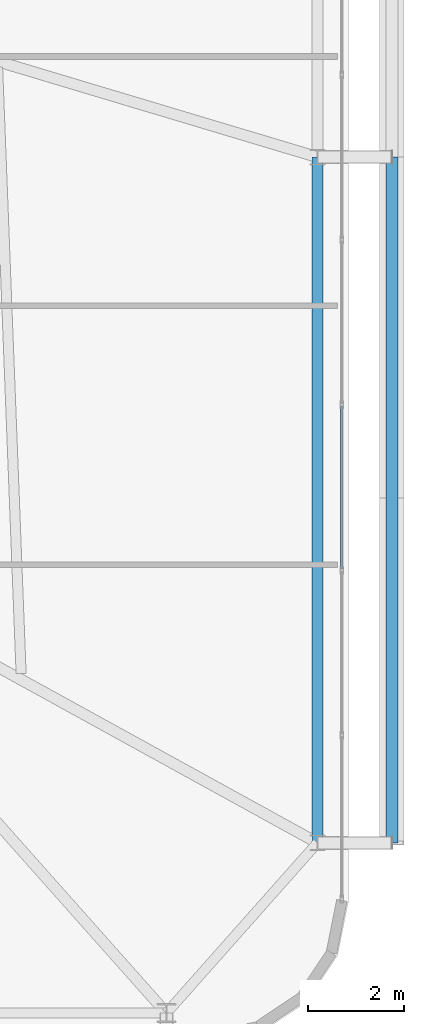
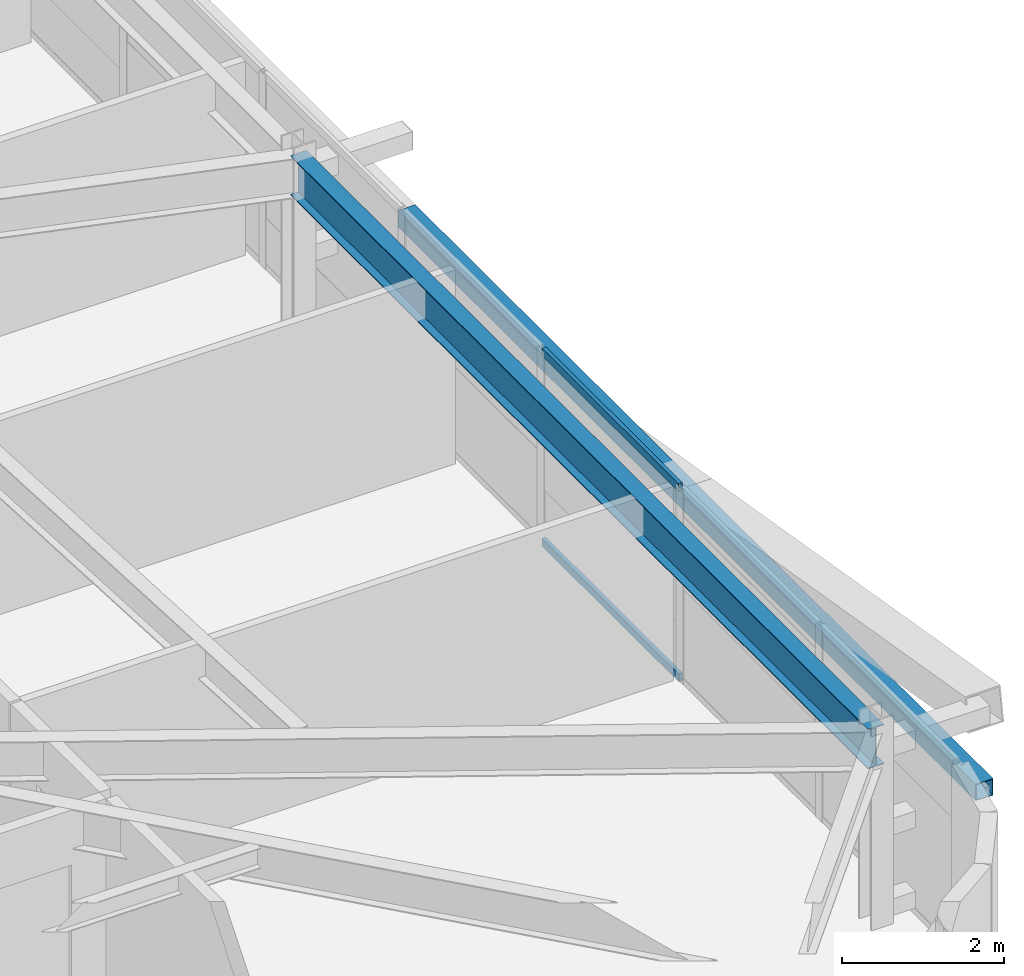
# One storey, part 27 of 58: 3 members, 1 beam, 1 element without a shape of its own.
"""IFC4 building model written with IfcOpenShell, lengths in metres."""

from ifc_helpers import new_model, si_unit, direction, frame, origin, origin_2d, place, context, subcontext, project, spatial, hollow_rectangle, i_section, extrude, source, transform, mapped, material, layer, layer_set, material_profile, profile_set, type_object, element, aggregate, save


model = new_model("IFC4")

# Units and contexts
model_context = context("Model", 3, precision=1e-05, world=origin(), true_north=direction((0.0, 1.0)))
body_context = subcontext(model_context, "Body", "Model", "MODEL_VIEW")
ifc_project = project(units=[si_unit("LENGTHUNIT", "METRE"), si_unit("AREAUNIT", "SQUARE_METRE"), si_unit("VOLUMEUNIT", "CUBIC_METRE"), si_unit("PLANEANGLEUNIT", "RADIAN"), si_unit("MASSUNIT", "GRAM", prefix="KILO")], contexts=[model_context])

# Site, building, storey
site_placement = place(None, origin())
site = spatial("IfcSite", under=ifc_project, at=site_placement, CompositionType="ELEMENT")
building_placement = place(site_placement, origin())
building = spatial("IfcBuilding", under=site, at=building_placement, Name="Taldren Reach Tower", CompositionType="ELEMENT")
storey_placement = place(building_placement, frame((0.0, 0.0, 51.449951171875)))
storey = spatial("IfcBuildingStorey", under=building, at=storey_placement, Name="L15", CompositionType="ELEMENT", Elevation=51.449951171875)

# Beam
ifc_material_1 = material(Name="Steel Gr 350 (350PLUS)", Category="steel")
ifc_material_profile_1 = material_profile(ifc_material_1, i_section(OverallWidth=0.22802734375, OverallDepth=0.60205078125, WebThickness=0.010498046875, FlangeThickness=0.014892578125, at=origin_2d()), Name="610UB101")
ifc_profile_set_1 = profile_set([ifc_material_profile_1], Name="Steel Gr 350 (350PLUS)")
beam_type = type_object("IfcBeamType", Name="BM-UB610B", PredefinedType="BEAM", material=ifc_profile_set_1)
shared_shape_1 = source(origin(), body_context, "Body", "SweptSolid", [
    extrude(i_section(OverallWidth=0.22802734375, OverallDepth=0.60205078125, WebThickness=0.010498046875, FlangeThickness=0.014892578125, at=origin_2d()), origin(), (0.0, 0.0, 1.0), 14.300048828125),
])
beam_placement = place(storey_placement, frame((64.35009765625, 5.699951171875, 2.629150390625), z_axis=(0.0, 1.0, 0.0), x_axis=(-1.0, 0.0, 0.0)))
element("IfcBeam", 1, at=beam_placement, inside=storey, type_object=beam_type, Name="Perimeter gable girder B1 E1-E2 L15", PredefinedType="BEAM", context=body_context, shape_type="MappedRepresentation", body=[
    mapped(shared_shape_1, transform((0.0, 0.0, 0.0), scale=1.0)),
])

# Member
ifc_material_2 = material(Name="Steel Gr 350 (C350L0)", Category="steel")
ifc_material_profile_2 = material_profile(ifc_material_2, hollow_rectangle(XDim=0.25, YDim=0.25, WallThickness=0.010009765625, at=origin_2d()), Name="250x250x10.0SHS")
ifc_profile_set_2 = profile_set([ifc_material_profile_2], Name="Steel Gr 350 (C350L0)")
member_type_1 = type_object("IfcMemberType", Name="MB-POST250", PredefinedType="POST", material=ifc_profile_set_2)
shared_shape_2 = source(origin(), body_context, "Body", "SweptSolid", [
    extrude(hollow_rectangle(XDim=0.25, YDim=0.25, WallThickness=0.010009765625, at=origin_2d()), origin(), (0.0, 0.0, 1.0), 14.300048828125),
])
member_1_placement = place(storey_placement, frame((65.89990234375, 5.699951171875, 1.43505859375), z_axis=(0.0, 1.0, 0.0), x_axis=(-1.0, 0.0, 0.0)))
element("IfcMember", 2, at=member_1_placement, inside=storey, type_object=member_type_1, Name="Exoskeleton mid-height ring chord B1-E1 L15", PredefinedType="POST", context=body_context, shape_type="MappedRepresentation", body=[
    mapped(shared_shape_2, transform((0.0, 0.0, 0.0), scale=1.0)),
])

# Curtain wall, members
ifc_material_3 = material(Name="Aluminium and Low-E Glass Unitised System", Category="aluminium")
ifc_layer = layer(ifc_material_3, 0.159912109375)
ifc_layer_set = layer_set([ifc_layer], Name="Aluminium and Low-E Glass Unitised System")
curtain_wall_type = type_object("IfcCurtainWallType", Name="CW-SYS-2", PredefinedType="NOTDEFINED", material=ifc_layer_set)
curtain_wall_placement = place(storey_placement, origin())
curtain_wall = element("IfcCurtainWall", 3, at=curtain_wall_placement, inside=storey, type_object=curtain_wall_type, Name="Unitised curtain wall CW-L15-E", PredefinedType="NOTDEFINED")
ifc_material_4 = material(Name="Anodised Aluminium 6063-T6", Category="aluminium")
ifc_material_profile_3 = material_profile(ifc_material_4, hollow_rectangle(XDim=0.054931640625, YDim=0.1201171875, WallThickness=0.0029296875, at=origin_2d()), Name="ALU-120x55x3RHS")
ifc_profile_set_3 = profile_set([ifc_material_profile_3], Name="Anodised Aluminium 6063-T6")
member_type_2 = type_object("IfcMemberType", Name="CW-TRN-135", PredefinedType="USERDEFINED", material=ifc_profile_set_3)
shared_shape_3 = source(origin(), body_context, "Body", "SweptSolid", [
    extrude(hollow_rectangle(XDim=0.054931640625, YDim=0.1201171875, WallThickness=0.0029296875, at=origin_2d()), origin(), (0.0, 0.0, 1.0), 3.37939453125),
])
member_2_placement = place(storey_placement, frame((64.860107421875, 11.42138671875, 0.027587890625), z_axis=(0.0, 1.0, 0.0), x_axis=(-1.0, 0.0, 0.0)))
member_2 = element("IfcMember", 4, at=member_2_placement, type_object=member_type_2, Name="CW-2 transom 3.1", ObjectType="TRANSOM", PredefinedType="USERDEFINED", context=body_context, shape_type="MappedRepresentation", body=[
    mapped(shared_shape_3, transform((0.0, 0.0, 0.0), scale=1.0)),
])
member_3_placement = place(storey_placement, frame((64.860107421875, 11.42138671875, 2.902587890625), z_axis=(0.0, 1.0, 0.0), x_axis=(-1.0, 0.0, 0.0)))
member_3 = element("IfcMember", 5, at=member_3_placement, type_object=member_type_2, Name="CW-2 transom 3.2", ObjectType="TRANSOM", PredefinedType="USERDEFINED", context=body_context, shape_type="MappedRepresentation", body=[
    mapped(shared_shape_3, transform((0.0, 0.0, 0.0), scale=1.0)),
])
aggregate(curtain_wall, [member_2, member_3])

save(model, "model.ifc")
